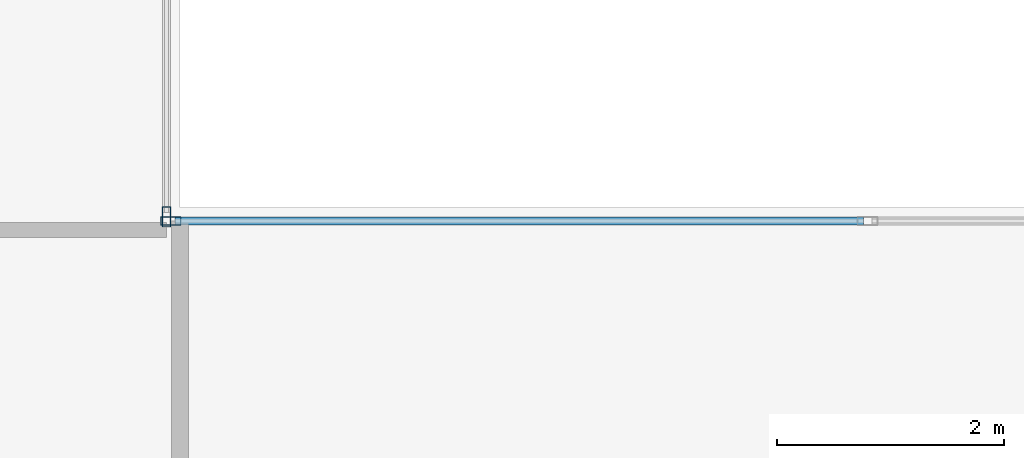
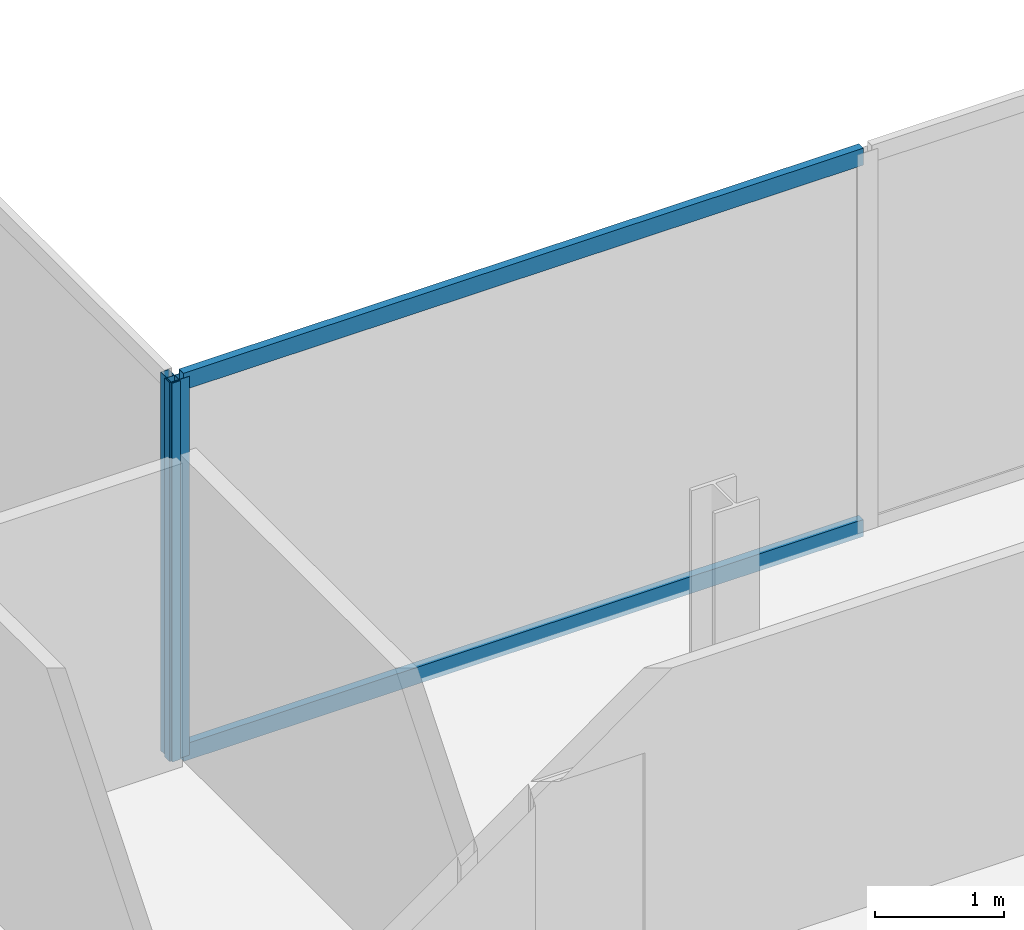
# One storey, part 7 of 23: 4 members, 2 elements without a shape of their own.
"""IFC4 building model written with IfcOpenShell, lengths in metres."""

from ifc_helpers import new_model, si_unit, direction, frame, origin, origin_2d, place, context, subcontext, project, spatial, hollow_rectangle, extrude, material, material_profile, profile_set, type_object, element, aggregate, save


model = new_model("IFC4")

# Units and contexts
model_context = context("Model", 3, precision=1e-05, world=origin(), true_north=direction((0.0, 1.0)))
body_context = subcontext(model_context, "Body", "Model", "MODEL_VIEW")
ifc_project = project(units=[si_unit("LENGTHUNIT", "METRE"), si_unit("AREAUNIT", "SQUARE_METRE"), si_unit("VOLUMEUNIT", "CUBIC_METRE"), si_unit("PLANEANGLEUNIT", "RADIAN"), si_unit("MASSUNIT", "GRAM", prefix="KILO")], contexts=[model_context])

# Site, building, storey
site_placement = place(None, origin())
site = spatial("IfcSite", under=ifc_project, at=site_placement, CompositionType="ELEMENT")
building_placement = place(site_placement, origin())
building = spatial("IfcBuilding", under=site, at=building_placement, Name="Cobrela Telecom Tower", CompositionType="ELEMENT")
storey_placement = place(building_placement, frame((0.0, 0.0, 159.949951171875)))
storey = spatial("IfcBuildingStorey", under=building, at=storey_placement, Name="L40", CompositionType="ELEMENT", Elevation=159.949951171875)

# Curtain wall, member
ifc_material = material(Name="Anodized Bronze Aluminium 6063-T6", Category="aluminium")
curtain_wall_type = type_object("IfcCurtainWallType", Name="CW-SYS-TEL", PredefinedType="USERDEFINED", material=ifc_material)
curtain_wall_1_placement = place(storey_placement, origin())
curtain_wall_1 = element("IfcCurtainWall", 1, at=curtain_wall_1_placement, inside=storey, type_object=curtain_wall_type, Name="L40 Unitised Bronze Curtain Wall 10", ObjectType="UNITISED CURTAIN WALL", PredefinedType="USERDEFINED")
ifc_material_profile_1 = material_profile(ifc_material, hollow_rectangle(XDim=0.074951171875, YDim=0.179931640625, WallThickness=0.00390625, at=origin_2d()), Name="ALU 75x180x4")
ifc_profile_set_1 = profile_set([ifc_material_profile_1], Name="Anodized Bronze Aluminium 6063-T6")
member_type_1 = type_object("IfcMemberType", Name="CW-SYS-TEL-MUL", PredefinedType="MULLION", material=ifc_profile_set_1)
member_1_placement = place(storey_placement, frame((25.8798828125, 25.117431640625, 0.0), z_axis=(0.0, 0.0, 1.0), x_axis=(1.0, 0.0, 0.0)))
member_1 = element("IfcMember", 2, at=member_1_placement, type_object=member_type_1, Name="CW-TEL mullion 3", PredefinedType="MULLION", context=body_context, shape_type="SweptSolid", body=[
    extrude(hollow_rectangle(XDim=0.074951171875, YDim=0.179931640625, WallThickness=0.00390625, at=origin_2d()), origin(), (0.0, 0.0, 1.0), 3.580078125),
])
aggregate(curtain_wall_1, [member_1])

# Curtain wall, members
curtain_wall_2_placement = place(storey_placement, origin())
curtain_wall_2 = element("IfcCurtainWall", 3, at=curtain_wall_2_placement, inside=storey, type_object=curtain_wall_type, Name="L40 Unitised Bronze Curtain Wall 11", ObjectType="UNITISED CURTAIN WALL", PredefinedType="USERDEFINED")
member_2_placement = place(storey_placement, frame((25.91748046875, 25.080078125, 0.0), z_axis=(0.0, 0.0, 1.0), x_axis=(0.0, 1.0, 0.0)))
member_2 = element("IfcMember", 4, at=member_2_placement, type_object=member_type_1, Name="CW-TEL mullion 1", PredefinedType="MULLION", context=body_context, shape_type="SweptSolid", body=[
    extrude(hollow_rectangle(XDim=0.074951171875, YDim=0.179931640625, WallThickness=0.00390625, at=origin_2d()), origin(), (0.0, 0.0, 1.0), 3.580078125),
])
ifc_material_profile_2 = material_profile(ifc_material, hollow_rectangle(XDim=0.070068359375, YDim=0.159912109375, WallThickness=0.00390625, at=origin_2d()), Name="ALU 70x160x4")
ifc_profile_set_2 = profile_set([ifc_material_profile_2], Name="Anodized Bronze Aluminium 6063-T6")
member_type_2 = type_object("IfcMemberType", Name="CW-SYS-TEL-TRN", PredefinedType="USERDEFINED", material=ifc_profile_set_2)
member_3_placement = place(storey_placement, frame((25.955078125, 25.080078125, 0.03515625), z_axis=(1.0, 0.0, 0.0), x_axis=(0.0, 1.0, 0.0)))
member_3 = element("IfcMember", 5, at=member_3_placement, type_object=member_type_2, Name="CW-TEL transom 1.1", ObjectType="TRANSOM", PredefinedType="USERDEFINED", context=body_context, shape_type="SweptSolid", body=[
    extrude(hollow_rectangle(XDim=0.070068359375, YDim=0.159912109375, WallThickness=0.00390625, at=origin_2d()), origin(), (0.0, 0.0, 1.0), 6.077392578125),
])
member_4_placement = place(storey_placement, frame((25.955078125, 25.080078125, 3.545166015625), z_axis=(1.0, 0.0, 0.0), x_axis=(0.0, 1.0, 0.0)))
member_4 = element("IfcMember", 6, at=member_4_placement, type_object=member_type_2, Name="CW-TEL transom 1.2", ObjectType="TRANSOM", PredefinedType="USERDEFINED", context=body_context, shape_type="SweptSolid", body=[
    extrude(hollow_rectangle(XDim=0.070068359375, YDim=0.159912109375, WallThickness=0.00390625, at=origin_2d()), origin(), (0.0, 0.0, 1.0), 6.077392578125),
])
aggregate(curtain_wall_2, [member_2, member_3, member_4])

save(model, "model.ifc")
